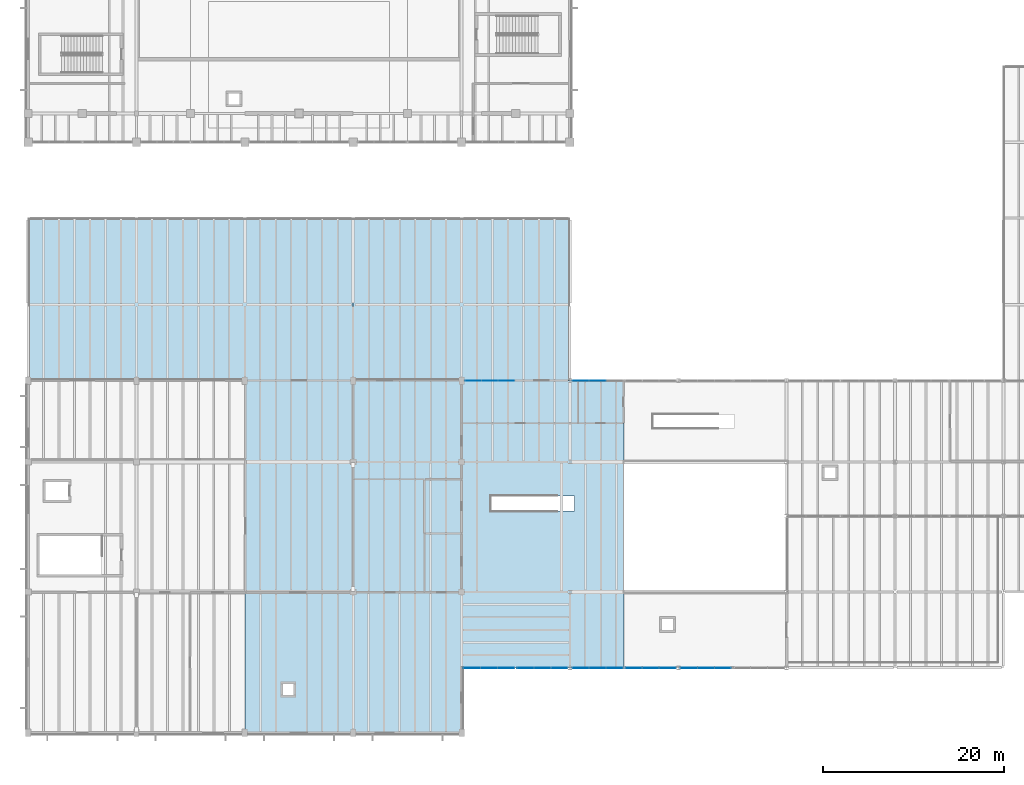
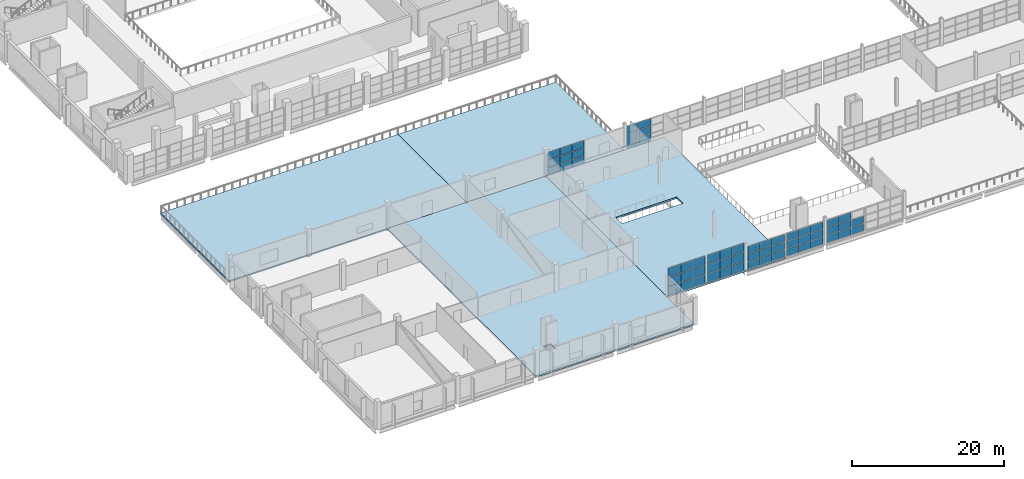
# One storey, part 47 of 78: 59 plates, 4 slabs, 7 elements without a shape of their own.
"""IFC4 building model written with IfcOpenShell, lengths in metres."""

from ifc_helpers import new_model, si_unit, direction, frame, origin, origin_2d, place, context, subcontext, project, spatial, polyline, rectangle, outline, extrude, material, layer, layer_set, type_object, element, aggregate, save


model = new_model("IFC4")

# Units and contexts
model_context = context("Model", 3, precision=1e-05, world=origin(), true_north=direction((0.0, 1.0)))
body_context = subcontext(model_context, "Body", "Model", "MODEL_VIEW")
ifc_project = project(units=[si_unit("LENGTHUNIT", "METRE"), si_unit("AREAUNIT", "SQUARE_METRE"), si_unit("VOLUMEUNIT", "CUBIC_METRE"), si_unit("PLANEANGLEUNIT", "RADIAN"), si_unit("MASSUNIT", "GRAM", prefix="KILO")], contexts=[model_context])

# Site, building, storey
site_placement = place(None, origin())
site = spatial("IfcSite", under=ifc_project, at=site_placement, CompositionType="ELEMENT")
building_placement = place(site_placement, origin())
building = spatial("IfcBuilding", under=site, at=building_placement, Name="Kelmvaro Bay Concert Hall", CompositionType="ELEMENT")
storey_placement = place(building_placement, frame((0.0, 0.0, 9.300048828125)))
storey = spatial("IfcBuildingStorey", under=building, at=storey_placement, Name="L02", CompositionType="ELEMENT", Elevation=9.300048828125)

# Curtain wall, plates
ifc_material_1 = material(Name="Anodised Aluminium and Low-E Insulated Glazing", Category="aluminium")
curtain_wall_type = type_object("IfcCurtainWallType", Name="Upper Salon Waterfront Curtain Wall 4050", PredefinedType="USERDEFINED", material=ifc_material_1)
curtain_wall_1_placement = place(storey_placement, origin())
curtain_wall_1 = element("IfcCurtainWall", 1, at=curtain_wall_1_placement, inside=storey, type_object=curtain_wall_type, Name="Unitised Curtain Wall CW-L02-088", ObjectType="UNITISED GLAZING", PredefinedType="USERDEFINED")
ifc_material_2 = material(Name="Laminated Low-E Insulated Glass", Category="glass")
ifc_layer_1 = layer(ifc_material_2, 1.85009765625)
ifc_layer_set_1 = layer_set([ifc_layer_1], Name="Laminated Low-E Insulated Glass")
plate_type_1 = type_object("IfcPlateType", Name="Courtyard Clear Low-E Glazing Panel 22", PredefinedType="CURTAIN_PANEL", material=ifc_layer_set_1)
plate_1_placement = place(storey_placement, frame((49.2724609375, 39.0, 0.032470703125), z_axis=(0.0, 0.0, 1.0), x_axis=(1.0, 0.0, 0.0)))
plate_1 = element("IfcPlate", 2, at=plate_1_placement, type_object=plate_type_1, Name="CW-L02-088 Insulated Glazing Panel 01-1", PredefinedType="CURTAIN_PANEL", context=body_context, shape_type="SweptSolid", body=[
    extrude(rectangle(XDim=1.77001953125, YDim=0.02197265625, at=origin_2d()), origin(), (0.0, 0.0, 1.0), 1.1826171875),
])
plate_2_placement = place(storey_placement, frame((49.2724609375, 39.0, 1.280029296875), z_axis=(0.0, 0.0, 1.0), x_axis=(1.0, 0.0, 0.0)))
plate_2 = element("IfcPlate", 3, at=plate_2_placement, type_object=plate_type_1, Name="CW-L02-088 Insulated Glazing Panel 01-2", PredefinedType="CURTAIN_PANEL", context=body_context, shape_type="SweptSolid", body=[
    extrude(rectangle(XDim=1.77001953125, YDim=0.02197265625, at=origin_2d()), origin(), (0.0, 0.0, 1.0), 1.1826171875),
])
plate_3_placement = place(storey_placement, frame((49.2724609375, 39.0, 2.52783203125), z_axis=(0.0, 0.0, 1.0), x_axis=(1.0, 0.0, 0.0)))
plate_3 = element("IfcPlate", 4, at=plate_3_placement, type_object=plate_type_1, Name="CW-L02-088 Insulated Glazing Panel 01-3", PredefinedType="CURTAIN_PANEL", context=body_context, shape_type="SweptSolid", body=[
    extrude(rectangle(XDim=1.77001953125, YDim=0.02197265625, at=origin_2d()), origin(), (0.0, 0.0, 1.0), 1.1826171875),
])
plate_4_placement = place(storey_placement, frame((51.107421875, 39.0, 0.032470703125), z_axis=(0.0, 0.0, 1.0), x_axis=(1.0, 0.0, 0.0)))
plate_4 = element("IfcPlate", 5, at=plate_4_placement, type_object=plate_type_1, Name="CW-L02-088 Insulated Glazing Panel 02-1", PredefinedType="CURTAIN_PANEL", context=body_context, shape_type="SweptSolid", body=[
    extrude(rectangle(XDim=1.77001953125, YDim=0.02197265625, at=origin_2d()), origin(), (0.0, 0.0, 1.0), 1.1826171875),
])
plate_5_placement = place(storey_placement, frame((51.107421875, 39.0, 1.280029296875), z_axis=(0.0, 0.0, 1.0), x_axis=(1.0, 0.0, 0.0)))
plate_5 = element("IfcPlate", 6, at=plate_5_placement, type_object=plate_type_1, Name="CW-L02-088 Insulated Glazing Panel 02-2", PredefinedType="CURTAIN_PANEL", context=body_context, shape_type="SweptSolid", body=[
    extrude(rectangle(XDim=1.77001953125, YDim=0.02197265625, at=origin_2d()), origin(), (0.0, 0.0, 1.0), 1.1826171875),
])
plate_6_placement = place(storey_placement, frame((51.107421875, 39.0, 2.52783203125), z_axis=(0.0, 0.0, 1.0), x_axis=(1.0, 0.0, 0.0)))
plate_6 = element("IfcPlate", 7, at=plate_6_placement, type_object=plate_type_1, Name="CW-L02-088 Insulated Glazing Panel 02-3", PredefinedType="CURTAIN_PANEL", context=body_context, shape_type="SweptSolid", body=[
    extrude(rectangle(XDim=1.77001953125, YDim=0.02197265625, at=origin_2d()), origin(), (0.0, 0.0, 1.0), 1.1826171875),
])
plate_7_placement = place(storey_placement, frame((52.9423828125, 39.0, 0.032470703125), z_axis=(0.0, 0.0, 1.0), x_axis=(1.0, 0.0, 0.0)))
plate_7 = element("IfcPlate", 8, at=plate_7_placement, type_object=plate_type_1, Name="CW-L02-088 Insulated Glazing Panel 03-1", PredefinedType="CURTAIN_PANEL", context=body_context, shape_type="SweptSolid", body=[
    extrude(rectangle(XDim=1.77001953125, YDim=0.02197265625, at=origin_2d()), origin(), (0.0, 0.0, 1.0), 1.1826171875),
])
plate_8_placement = place(storey_placement, frame((52.9423828125, 39.0, 1.280029296875), z_axis=(0.0, 0.0, 1.0), x_axis=(1.0, 0.0, 0.0)))
plate_8 = element("IfcPlate", 9, at=plate_8_placement, type_object=plate_type_1, Name="CW-L02-088 Insulated Glazing Panel 03-2", PredefinedType="CURTAIN_PANEL", context=body_context, shape_type="SweptSolid", body=[
    extrude(rectangle(XDim=1.77001953125, YDim=0.02197265625, at=origin_2d()), origin(), (0.0, 0.0, 1.0), 1.1826171875),
])
plate_9_placement = place(storey_placement, frame((52.9423828125, 39.0, 2.52783203125), z_axis=(0.0, 0.0, 1.0), x_axis=(1.0, 0.0, 0.0)))
plate_9 = element("IfcPlate", 10, at=plate_9_placement, type_object=plate_type_1, Name="CW-L02-088 Insulated Glazing Panel 03-3", PredefinedType="CURTAIN_PANEL", context=body_context, shape_type="SweptSolid", body=[
    extrude(rectangle(XDim=1.77001953125, YDim=0.02197265625, at=origin_2d()), origin(), (0.0, 0.0, 1.0), 1.1826171875),
])
aggregate(curtain_wall_1, [plate_1, plate_2, plate_3, plate_4, plate_5, plate_6, plate_7, plate_8, plate_9])

curtain_wall_2_placement = place(storey_placement, origin())
curtain_wall_2 = element("IfcCurtainWall", 11, at=curtain_wall_2_placement, inside=storey, type_object=curtain_wall_type, Name="Unitised Curtain Wall CW-L02-089", ObjectType="UNITISED GLAZING", PredefinedType="USERDEFINED")
plate_10_placement = place(storey_placement, frame((61.188720703125, 39.0, 0.0322265625), z_axis=(0.0, 0.0, 1.0), x_axis=(1.0, 0.0, 0.0)))
plate_10 = element("IfcPlate", 12, at=plate_10_placement, type_object=plate_type_1, Name="CW-L02-089 Insulated Glazing Panel 01-1", PredefinedType="CURTAIN_PANEL", context=body_context, shape_type="SweptSolid", body=[
    extrude(rectangle(XDim=1.803466796875, YDim=0.02197265625, at=origin_2d()), origin(), (0.0, 0.0, 1.0), 1.181396484375),
])
plate_11_placement = place(storey_placement, frame((61.188720703125, 39.0, 1.27880859375), z_axis=(0.0, 0.0, 1.0), x_axis=(1.0, 0.0, 0.0)))
plate_11 = element("IfcPlate", 13, at=plate_11_placement, type_object=plate_type_1, Name="CW-L02-089 Insulated Glazing Panel 01-2", PredefinedType="CURTAIN_PANEL", context=body_context, shape_type="SweptSolid", body=[
    extrude(rectangle(XDim=1.803466796875, YDim=0.02197265625, at=origin_2d()), origin(), (0.0, 0.0, 1.0), 1.181396484375),
])
plate_12_placement = place(storey_placement, frame((61.188720703125, 39.0, 2.52490234375), z_axis=(0.0, 0.0, 1.0), x_axis=(1.0, 0.0, 0.0)))
plate_12 = element("IfcPlate", 14, at=plate_12_placement, type_object=plate_type_1, Name="CW-L02-089 Insulated Glazing Panel 01-3", PredefinedType="CURTAIN_PANEL", context=body_context, shape_type="SweptSolid", body=[
    extrude(rectangle(XDim=1.803466796875, YDim=0.02197265625, at=origin_2d()), origin(), (0.0, 0.0, 1.0), 1.181396484375),
])
plate_13_placement = place(storey_placement, frame((63.05712890625, 39.0, 0.0322265625), z_axis=(0.0, 0.0, 1.0), x_axis=(1.0, 0.0, 0.0)))
plate_13 = element("IfcPlate", 15, at=plate_13_placement, type_object=plate_type_1, Name="CW-L02-089 Insulated Glazing Panel 02-1", PredefinedType="CURTAIN_PANEL", context=body_context, shape_type="SweptSolid", body=[
    extrude(rectangle(XDim=1.803466796875, YDim=0.02197265625, at=origin_2d()), origin(), (0.0, 0.0, 1.0), 1.181396484375),
])
plate_14_placement = place(storey_placement, frame((63.05712890625, 39.0, 1.27880859375), z_axis=(0.0, 0.0, 1.0), x_axis=(1.0, 0.0, 0.0)))
plate_14 = element("IfcPlate", 16, at=plate_14_placement, type_object=plate_type_1, Name="CW-L02-089 Insulated Glazing Panel 02-2", PredefinedType="CURTAIN_PANEL", context=body_context, shape_type="SweptSolid", body=[
    extrude(rectangle(XDim=1.803466796875, YDim=0.02197265625, at=origin_2d()), origin(), (0.0, 0.0, 1.0), 1.181396484375),
])
plate_15_placement = place(storey_placement, frame((63.05712890625, 39.0, 2.52490234375), z_axis=(0.0, 0.0, 1.0), x_axis=(1.0, 0.0, 0.0)))
plate_15 = element("IfcPlate", 17, at=plate_15_placement, type_object=plate_type_1, Name="CW-L02-089 Insulated Glazing Panel 02-3", PredefinedType="CURTAIN_PANEL", context=body_context, shape_type="SweptSolid", body=[
    extrude(rectangle(XDim=1.803466796875, YDim=0.02197265625, at=origin_2d()), origin(), (0.0, 0.0, 1.0), 1.181396484375),
])
aggregate(curtain_wall_2, [plate_10, plate_11, plate_12, plate_13, plate_14, plate_15])

curtain_wall_3_placement = place(storey_placement, origin())
curtain_wall_3 = element("IfcCurtainWall", 18, at=curtain_wall_3_placement, inside=storey, type_object=curtain_wall_type, Name="Unitised Curtain Wall CW-L02-076", ObjectType="UNITISED GLAZING", PredefinedType="USERDEFINED")
ifc_material_3 = material(Name="Laminated Low-E Insulated Glass", Category="glass")
ifc_layer_2 = layer(ifc_material_3, 1.85009765625)
ifc_layer_set_2 = layer_set([ifc_layer_2], Name="Laminated Low-E Insulated Glass")
plate_type_2 = type_object("IfcPlateType", Name="High-Impact Waterfront Glazing Panel 50", PredefinedType="CURTAIN_PANEL", material=ifc_layer_set_2)
plate_16_placement = place(storey_placement, frame((52.918212890625, 7.199951171875, 0.032470703125), z_axis=(0.0, 0.0, 1.0), x_axis=(-1.0, 0.0, 0.0)))
plate_16 = element("IfcPlate", 19, at=plate_16_placement, type_object=plate_type_2, Name="CW-L02-076 Insulated Glazing Panel 01-1", PredefinedType="CURTAIN_PANEL", context=body_context, shape_type="SweptSolid", body=[
    extrude(rectangle(XDim=1.818359375, YDim=0.050048828125, at=origin_2d()), origin(), (0.0, 0.0, 1.0), 1.43505859375),
])
plate_17_placement = place(storey_placement, frame((52.918212890625, 7.199951171875, 1.532470703125), z_axis=(0.0, 0.0, 1.0), x_axis=(-1.0, 0.0, 0.0)))
plate_17 = element("IfcPlate", 20, at=plate_17_placement, type_object=plate_type_2, Name="CW-L02-076 Insulated Glazing Panel 01-2", PredefinedType="CURTAIN_PANEL", context=body_context, shape_type="SweptSolid", body=[
    extrude(rectangle(XDim=1.818359375, YDim=0.050048828125, at=origin_2d()), origin(), (0.0, 0.0, 1.0), 1.43505859375),
])
plate_18_placement = place(storey_placement, frame((52.918212890625, 7.199951171875, 3.032470703125), z_axis=(0.0, 0.0, 1.0), x_axis=(-1.0, 0.0, 0.0)))
plate_18 = element("IfcPlate", 21, at=plate_18_placement, type_object=plate_type_2, Name="CW-L02-076 Insulated Glazing Panel 01-3", PredefinedType="CURTAIN_PANEL", context=body_context, shape_type="SweptSolid", body=[
    extrude(rectangle(XDim=1.818359375, YDim=0.050048828125, at=origin_2d()), origin(), (0.0, 0.0, 1.0), 1.43505859375),
])
plate_19_placement = place(storey_placement, frame((51.034912109375, 7.199951171875, 0.032470703125), z_axis=(0.0, 0.0, 1.0), x_axis=(-1.0, 0.0, 0.0)))
plate_19 = element("IfcPlate", 22, at=plate_19_placement, type_object=plate_type_2, Name="CW-L02-076 Insulated Glazing Panel 02-1", PredefinedType="CURTAIN_PANEL", context=body_context, shape_type="SweptSolid", body=[
    extrude(rectangle(XDim=1.818359375, YDim=0.050048828125, at=origin_2d()), origin(), (0.0, 0.0, 1.0), 1.43505859375),
])
plate_20_placement = place(storey_placement, frame((51.034912109375, 7.199951171875, 1.532470703125), z_axis=(0.0, 0.0, 1.0), x_axis=(-1.0, 0.0, 0.0)))
plate_20 = element("IfcPlate", 23, at=plate_20_placement, type_object=plate_type_2, Name="CW-L02-076 Insulated Glazing Panel 02-2", PredefinedType="CURTAIN_PANEL", context=body_context, shape_type="SweptSolid", body=[
    extrude(rectangle(XDim=1.818359375, YDim=0.050048828125, at=origin_2d()), origin(), (0.0, 0.0, 1.0), 1.43505859375),
])
plate_21_placement = place(storey_placement, frame((51.034912109375, 7.199951171875, 3.032470703125), z_axis=(0.0, 0.0, 1.0), x_axis=(-1.0, 0.0, 0.0)))
plate_21 = element("IfcPlate", 24, at=plate_21_placement, type_object=plate_type_2, Name="CW-L02-076 Insulated Glazing Panel 02-3", PredefinedType="CURTAIN_PANEL", context=body_context, shape_type="SweptSolid", body=[
    extrude(rectangle(XDim=1.818359375, YDim=0.050048828125, at=origin_2d()), origin(), (0.0, 0.0, 1.0), 1.43505859375),
])
plate_22_placement = place(storey_placement, frame((49.151611328125, 7.199951171875, 0.032470703125), z_axis=(0.0, 0.0, 1.0), x_axis=(-1.0, 0.0, 0.0)))
plate_22 = element("IfcPlate", 25, at=plate_22_placement, type_object=plate_type_2, Name="CW-L02-076 Insulated Glazing Panel 03-1", PredefinedType="CURTAIN_PANEL", context=body_context, shape_type="SweptSolid", body=[
    extrude(rectangle(XDim=1.818359375, YDim=0.050048828125, at=origin_2d()), origin(), (0.0, 0.0, 1.0), 1.43505859375),
])
plate_23_placement = place(storey_placement, frame((49.151611328125, 7.199951171875, 1.532470703125), z_axis=(0.0, 0.0, 1.0), x_axis=(-1.0, 0.0, 0.0)))
plate_23 = element("IfcPlate", 26, at=plate_23_placement, type_object=plate_type_2, Name="CW-L02-076 Insulated Glazing Panel 03-2", PredefinedType="CURTAIN_PANEL", context=body_context, shape_type="SweptSolid", body=[
    extrude(rectangle(XDim=1.818359375, YDim=0.050048828125, at=origin_2d()), origin(), (0.0, 0.0, 1.0), 1.43505859375),
])
plate_24_placement = place(storey_placement, frame((49.151611328125, 7.199951171875, 3.032470703125), z_axis=(0.0, 0.0, 1.0), x_axis=(-1.0, 0.0, 0.0)))
plate_24 = element("IfcPlate", 27, at=plate_24_placement, type_object=plate_type_2, Name="CW-L02-076 Insulated Glazing Panel 03-3", PredefinedType="CURTAIN_PANEL", context=body_context, shape_type="SweptSolid", body=[
    extrude(rectangle(XDim=1.818359375, YDim=0.050048828125, at=origin_2d()), origin(), (0.0, 0.0, 1.0), 1.43505859375),
])
aggregate(curtain_wall_3, [plate_16, plate_17, plate_18, plate_19, plate_20, plate_21, plate_22, plate_23, plate_24])

curtain_wall_4_placement = place(storey_placement, origin())
curtain_wall_4 = element("IfcCurtainWall", 28, at=curtain_wall_4_placement, inside=storey, type_object=curtain_wall_type, Name="Unitised Curtain Wall CW-L02-077", ObjectType="UNITISED GLAZING", PredefinedType="USERDEFINED")
plate_25_placement = place(storey_placement, frame((58.811279296875, 7.199951171875, 0.032470703125), z_axis=(0.0, 0.0, 1.0), x_axis=(-1.0, 0.0, 0.0)))
plate_25 = element("IfcPlate", 29, at=plate_25_placement, type_object=plate_type_2, Name="CW-L02-077 Insulated Glazing Panel 01-1", PredefinedType="CURTAIN_PANEL", context=body_context, shape_type="SweptSolid", body=[
    extrude(rectangle(XDim=1.803466796875, YDim=0.050048828125, at=origin_2d()), origin(), (0.0, 0.0, 1.0), 1.43505859375),
])
plate_26_placement = place(storey_placement, frame((58.811279296875, 7.199951171875, 1.532470703125), z_axis=(0.0, 0.0, 1.0), x_axis=(-1.0, 0.0, 0.0)))
plate_26 = element("IfcPlate", 30, at=plate_26_placement, type_object=plate_type_2, Name="CW-L02-077 Insulated Glazing Panel 01-2", PredefinedType="CURTAIN_PANEL", context=body_context, shape_type="SweptSolid", body=[
    extrude(rectangle(XDim=1.803466796875, YDim=0.050048828125, at=origin_2d()), origin(), (0.0, 0.0, 1.0), 1.43505859375),
])
plate_27_placement = place(storey_placement, frame((58.811279296875, 7.199951171875, 3.032470703125), z_axis=(0.0, 0.0, 1.0), x_axis=(-1.0, 0.0, 0.0)))
plate_27 = element("IfcPlate", 31, at=plate_27_placement, type_object=plate_type_2, Name="CW-L02-077 Insulated Glazing Panel 01-3", PredefinedType="CURTAIN_PANEL", context=body_context, shape_type="SweptSolid", body=[
    extrude(rectangle(XDim=1.803466796875, YDim=0.050048828125, at=origin_2d()), origin(), (0.0, 0.0, 1.0), 1.43505859375),
])
plate_28_placement = place(storey_placement, frame((56.94287109375, 7.199951171875, 0.032470703125), z_axis=(0.0, 0.0, 1.0), x_axis=(-1.0, 0.0, 0.0)))
plate_28 = element("IfcPlate", 32, at=plate_28_placement, type_object=plate_type_2, Name="CW-L02-077 Insulated Glazing Panel 02-1", PredefinedType="CURTAIN_PANEL", context=body_context, shape_type="SweptSolid", body=[
    extrude(rectangle(XDim=1.803466796875, YDim=0.050048828125, at=origin_2d()), origin(), (0.0, 0.0, 1.0), 1.43505859375),
])
plate_29_placement = place(storey_placement, frame((56.94287109375, 7.199951171875, 1.532470703125), z_axis=(0.0, 0.0, 1.0), x_axis=(-1.0, 0.0, 0.0)))
plate_29 = element("IfcPlate", 33, at=plate_29_placement, type_object=plate_type_2, Name="CW-L02-077 Insulated Glazing Panel 02-2", PredefinedType="CURTAIN_PANEL", context=body_context, shape_type="SweptSolid", body=[
    extrude(rectangle(XDim=1.803466796875, YDim=0.050048828125, at=origin_2d()), origin(), (0.0, 0.0, 1.0), 1.43505859375),
])
plate_30_placement = place(storey_placement, frame((56.94287109375, 7.199951171875, 3.032470703125), z_axis=(0.0, 0.0, 1.0), x_axis=(-1.0, 0.0, 0.0)))
plate_30 = element("IfcPlate", 34, at=plate_30_placement, type_object=plate_type_2, Name="CW-L02-077 Insulated Glazing Panel 02-3", PredefinedType="CURTAIN_PANEL", context=body_context, shape_type="SweptSolid", body=[
    extrude(rectangle(XDim=1.803466796875, YDim=0.050048828125, at=origin_2d()), origin(), (0.0, 0.0, 1.0), 1.43505859375),
])
plate_31_placement = place(storey_placement, frame((55.07421875, 7.199951171875, 0.032470703125), z_axis=(0.0, 0.0, 1.0), x_axis=(-1.0, 0.0, 0.0)))
plate_31 = element("IfcPlate", 35, at=plate_31_placement, type_object=plate_type_2, Name="CW-L02-077 Insulated Glazing Panel 03-1", PredefinedType="CURTAIN_PANEL", context=body_context, shape_type="SweptSolid", body=[
    extrude(rectangle(XDim=1.803466796875, YDim=0.050048828125, at=origin_2d()), origin(), (0.0, 0.0, 1.0), 1.43505859375),
])
plate_32_placement = place(storey_placement, frame((55.07421875, 7.199951171875, 1.532470703125), z_axis=(0.0, 0.0, 1.0), x_axis=(-1.0, 0.0, 0.0)))
plate_32 = element("IfcPlate", 36, at=plate_32_placement, type_object=plate_type_2, Name="CW-L02-077 Insulated Glazing Panel 03-2", PredefinedType="CURTAIN_PANEL", context=body_context, shape_type="SweptSolid", body=[
    extrude(rectangle(XDim=1.803466796875, YDim=0.050048828125, at=origin_2d()), origin(), (0.0, 0.0, 1.0), 1.43505859375),
])
plate_33_placement = place(storey_placement, frame((55.07421875, 7.199951171875, 3.032470703125), z_axis=(0.0, 0.0, 1.0), x_axis=(-1.0, 0.0, 0.0)))
plate_33 = element("IfcPlate", 37, at=plate_33_placement, type_object=plate_type_2, Name="CW-L02-077 Insulated Glazing Panel 03-3", PredefinedType="CURTAIN_PANEL", context=body_context, shape_type="SweptSolid", body=[
    extrude(rectangle(XDim=1.803466796875, YDim=0.050048828125, at=origin_2d()), origin(), (0.0, 0.0, 1.0), 1.43505859375),
])
aggregate(curtain_wall_4, [plate_25, plate_26, plate_27, plate_28, plate_29, plate_30, plate_31, plate_32, plate_33])

curtain_wall_5_placement = place(storey_placement, origin())
curtain_wall_5 = element("IfcCurtainWall", 38, at=curtain_wall_5_placement, inside=storey, type_object=curtain_wall_type, Name="Unitised Curtain Wall CW-L02-078", ObjectType="UNITISED GLAZING", PredefinedType="USERDEFINED")
plate_34_placement = place(storey_placement, frame((64.92578125, 7.199951171875, 0.0322265625), z_axis=(0.0, 0.0, 1.0), x_axis=(-1.0, 0.0, 0.0)))
plate_34 = element("IfcPlate", 39, at=plate_34_placement, type_object=plate_type_2, Name="CW-L02-078 Insulated Glazing Panel 01-1", PredefinedType="CURTAIN_PANEL", context=body_context, shape_type="SweptSolid", body=[
    extrude(rectangle(XDim=1.803466796875, YDim=0.050048828125, at=origin_2d()), origin(), (0.0, 0.0, 1.0), 1.181396484375),
])
plate_35_placement = place(storey_placement, frame((64.92578125, 7.199951171875, 1.27880859375), z_axis=(0.0, 0.0, 1.0), x_axis=(-1.0, 0.0, 0.0)))
plate_35 = element("IfcPlate", 40, at=plate_35_placement, type_object=plate_type_2, Name="CW-L02-078 Insulated Glazing Panel 01-2", PredefinedType="CURTAIN_PANEL", context=body_context, shape_type="SweptSolid", body=[
    extrude(rectangle(XDim=1.803466796875, YDim=0.050048828125, at=origin_2d()), origin(), (0.0, 0.0, 1.0), 1.181396484375),
])
plate_36_placement = place(storey_placement, frame((64.92578125, 7.199951171875, 2.52490234375), z_axis=(0.0, 0.0, 1.0), x_axis=(-1.0, 0.0, 0.0)))
plate_36 = element("IfcPlate", 41, at=plate_36_placement, type_object=plate_type_2, Name="CW-L02-078 Insulated Glazing Panel 01-3", PredefinedType="CURTAIN_PANEL", context=body_context, shape_type="SweptSolid", body=[
    extrude(rectangle(XDim=1.803466796875, YDim=0.050048828125, at=origin_2d()), origin(), (0.0, 0.0, 1.0), 1.181396484375),
])
plate_37_placement = place(storey_placement, frame((63.05712890625, 7.199951171875, 0.0322265625), z_axis=(0.0, 0.0, 1.0), x_axis=(-1.0, 0.0, 0.0)))
plate_37 = element("IfcPlate", 42, at=plate_37_placement, type_object=plate_type_2, Name="CW-L02-078 Insulated Glazing Panel 02-1", PredefinedType="CURTAIN_PANEL", context=body_context, shape_type="SweptSolid", body=[
    extrude(rectangle(XDim=1.803466796875, YDim=0.050048828125, at=origin_2d()), origin(), (0.0, 0.0, 1.0), 1.181396484375),
])
plate_38_placement = place(storey_placement, frame((63.05712890625, 7.199951171875, 1.27880859375), z_axis=(0.0, 0.0, 1.0), x_axis=(-1.0, 0.0, 0.0)))
plate_38 = element("IfcPlate", 43, at=plate_38_placement, type_object=plate_type_2, Name="CW-L02-078 Insulated Glazing Panel 02-2", PredefinedType="CURTAIN_PANEL", context=body_context, shape_type="SweptSolid", body=[
    extrude(rectangle(XDim=1.803466796875, YDim=0.050048828125, at=origin_2d()), origin(), (0.0, 0.0, 1.0), 1.181396484375),
])
plate_39_placement = place(storey_placement, frame((63.05712890625, 7.199951171875, 2.52490234375), z_axis=(0.0, 0.0, 1.0), x_axis=(-1.0, 0.0, 0.0)))
plate_39 = element("IfcPlate", 44, at=plate_39_placement, type_object=plate_type_2, Name="CW-L02-078 Insulated Glazing Panel 02-3", PredefinedType="CURTAIN_PANEL", context=body_context, shape_type="SweptSolid", body=[
    extrude(rectangle(XDim=1.803466796875, YDim=0.050048828125, at=origin_2d()), origin(), (0.0, 0.0, 1.0), 1.181396484375),
])
plate_40_placement = place(storey_placement, frame((61.188720703125, 7.199951171875, 0.0322265625), z_axis=(0.0, 0.0, 1.0), x_axis=(-1.0, 0.0, 0.0)))
plate_40 = element("IfcPlate", 45, at=plate_40_placement, type_object=plate_type_2, Name="CW-L02-078 Insulated Glazing Panel 03-1", PredefinedType="CURTAIN_PANEL", context=body_context, shape_type="SweptSolid", body=[
    extrude(rectangle(XDim=1.803466796875, YDim=0.050048828125, at=origin_2d()), origin(), (0.0, 0.0, 1.0), 1.181396484375),
])
plate_41_placement = place(storey_placement, frame((61.188720703125, 7.199951171875, 1.27880859375), z_axis=(0.0, 0.0, 1.0), x_axis=(-1.0, 0.0, 0.0)))
plate_41 = element("IfcPlate", 46, at=plate_41_placement, type_object=plate_type_2, Name="CW-L02-078 Insulated Glazing Panel 03-2", PredefinedType="CURTAIN_PANEL", context=body_context, shape_type="SweptSolid", body=[
    extrude(rectangle(XDim=1.803466796875, YDim=0.050048828125, at=origin_2d()), origin(), (0.0, 0.0, 1.0), 1.181396484375),
])
plate_42_placement = place(storey_placement, frame((61.188720703125, 7.199951171875, 2.52490234375), z_axis=(0.0, 0.0, 1.0), x_axis=(-1.0, 0.0, 0.0)))
plate_42 = element("IfcPlate", 47, at=plate_42_placement, type_object=plate_type_2, Name="CW-L02-078 Insulated Glazing Panel 03-3", PredefinedType="CURTAIN_PANEL", context=body_context, shape_type="SweptSolid", body=[
    extrude(rectangle(XDim=1.803466796875, YDim=0.050048828125, at=origin_2d()), origin(), (0.0, 0.0, 1.0), 1.181396484375),
])
aggregate(curtain_wall_5, [plate_34, plate_35, plate_36, plate_37, plate_38, plate_39, plate_40, plate_41, plate_42])

curtain_wall_6_placement = place(storey_placement, origin())
curtain_wall_6 = element("IfcCurtainWall", 48, at=curtain_wall_6_placement, inside=storey, type_object=curtain_wall_type, Name="Unitised Curtain Wall CW-L02-079", ObjectType="UNITISED GLAZING", PredefinedType="USERDEFINED")
plate_43_placement = place(storey_placement, frame((70.811279296875, 7.199951171875, 0.0322265625), z_axis=(0.0, 0.0, 1.0), x_axis=(-1.0, 0.0, 0.0)))
plate_43 = element("IfcPlate", 49, at=plate_43_placement, type_object=plate_type_2, Name="CW-L02-079 Insulated Glazing Panel 01-1", PredefinedType="CURTAIN_PANEL", context=body_context, shape_type="SweptSolid", body=[
    extrude(rectangle(XDim=1.803466796875, YDim=0.050048828125, at=origin_2d()), origin(), (0.0, 0.0, 1.0), 1.181396484375),
])
plate_44_placement = place(storey_placement, frame((70.811279296875, 7.199951171875, 1.27880859375), z_axis=(0.0, 0.0, 1.0), x_axis=(-1.0, 0.0, 0.0)))
plate_44 = element("IfcPlate", 50, at=plate_44_placement, type_object=plate_type_2, Name="CW-L02-079 Insulated Glazing Panel 01-2", PredefinedType="CURTAIN_PANEL", context=body_context, shape_type="SweptSolid", body=[
    extrude(rectangle(XDim=1.803466796875, YDim=0.050048828125, at=origin_2d()), origin(), (0.0, 0.0, 1.0), 1.181396484375),
])
plate_45_placement = place(storey_placement, frame((70.811279296875, 7.199951171875, 2.52490234375), z_axis=(0.0, 0.0, 1.0), x_axis=(-1.0, 0.0, 0.0)))
plate_45 = element("IfcPlate", 51, at=plate_45_placement, type_object=plate_type_2, Name="CW-L02-079 Insulated Glazing Panel 01-3", PredefinedType="CURTAIN_PANEL", context=body_context, shape_type="SweptSolid", body=[
    extrude(rectangle(XDim=1.803466796875, YDim=0.050048828125, at=origin_2d()), origin(), (0.0, 0.0, 1.0), 1.181396484375),
])
plate_46_placement = place(storey_placement, frame((68.94287109375, 7.199951171875, 0.0322265625), z_axis=(0.0, 0.0, 1.0), x_axis=(-1.0, 0.0, 0.0)))
plate_46 = element("IfcPlate", 52, at=plate_46_placement, type_object=plate_type_2, Name="CW-L02-079 Insulated Glazing Panel 02-1", PredefinedType="CURTAIN_PANEL", context=body_context, shape_type="SweptSolid", body=[
    extrude(rectangle(XDim=1.803466796875, YDim=0.050048828125, at=origin_2d()), origin(), (0.0, 0.0, 1.0), 1.181396484375),
])
plate_47_placement = place(storey_placement, frame((68.94287109375, 7.199951171875, 1.27880859375), z_axis=(0.0, 0.0, 1.0), x_axis=(-1.0, 0.0, 0.0)))
plate_47 = element("IfcPlate", 53, at=plate_47_placement, type_object=plate_type_2, Name="CW-L02-079 Insulated Glazing Panel 02-2", PredefinedType="CURTAIN_PANEL", context=body_context, shape_type="SweptSolid", body=[
    extrude(rectangle(XDim=1.803466796875, YDim=0.050048828125, at=origin_2d()), origin(), (0.0, 0.0, 1.0), 1.181396484375),
])
plate_48_placement = place(storey_placement, frame((68.94287109375, 7.199951171875, 2.52490234375), z_axis=(0.0, 0.0, 1.0), x_axis=(-1.0, 0.0, 0.0)))
plate_48 = element("IfcPlate", 54, at=plate_48_placement, type_object=plate_type_2, Name="CW-L02-079 Insulated Glazing Panel 02-3", PredefinedType="CURTAIN_PANEL", context=body_context, shape_type="SweptSolid", body=[
    extrude(rectangle(XDim=1.803466796875, YDim=0.050048828125, at=origin_2d()), origin(), (0.0, 0.0, 1.0), 1.181396484375),
])
plate_49_placement = place(storey_placement, frame((67.07421875, 7.199951171875, 0.0322265625), z_axis=(0.0, 0.0, 1.0), x_axis=(-1.0, 0.0, 0.0)))
plate_49 = element("IfcPlate", 55, at=plate_49_placement, type_object=plate_type_2, Name="CW-L02-079 Insulated Glazing Panel 03-1", PredefinedType="CURTAIN_PANEL", context=body_context, shape_type="SweptSolid", body=[
    extrude(rectangle(XDim=1.803466796875, YDim=0.050048828125, at=origin_2d()), origin(), (0.0, 0.0, 1.0), 1.181396484375),
])
plate_50_placement = place(storey_placement, frame((67.07421875, 7.199951171875, 1.27880859375), z_axis=(0.0, 0.0, 1.0), x_axis=(-1.0, 0.0, 0.0)))
plate_50 = element("IfcPlate", 56, at=plate_50_placement, type_object=plate_type_2, Name="CW-L02-079 Insulated Glazing Panel 03-2", PredefinedType="CURTAIN_PANEL", context=body_context, shape_type="SweptSolid", body=[
    extrude(rectangle(XDim=1.803466796875, YDim=0.050048828125, at=origin_2d()), origin(), (0.0, 0.0, 1.0), 1.181396484375),
])
plate_51_placement = place(storey_placement, frame((67.07421875, 7.199951171875, 2.52490234375), z_axis=(0.0, 0.0, 1.0), x_axis=(-1.0, 0.0, 0.0)))
plate_51 = element("IfcPlate", 57, at=plate_51_placement, type_object=plate_type_2, Name="CW-L02-079 Insulated Glazing Panel 03-3", PredefinedType="CURTAIN_PANEL", context=body_context, shape_type="SweptSolid", body=[
    extrude(rectangle(XDim=1.803466796875, YDim=0.050048828125, at=origin_2d()), origin(), (0.0, 0.0, 1.0), 1.181396484375),
])
aggregate(curtain_wall_6, [plate_43, plate_44, plate_45, plate_46, plate_47, plate_48, plate_49, plate_50, plate_51])

curtain_wall_7_placement = place(storey_placement, origin())
curtain_wall_7 = element("IfcCurtainWall", 58, at=curtain_wall_7_placement, inside=storey, type_object=curtain_wall_type, Name="Unitised Curtain Wall CW-L02-080", ObjectType="UNITISED GLAZING", PredefinedType="USERDEFINED")
plate_52_placement = place(storey_placement, frame((76.92578125, 7.199951171875, 0.0322265625), z_axis=(0.0, 0.0, 1.0), x_axis=(-1.0, 0.0, 0.0)))
plate_52 = element("IfcPlate", 59, at=plate_52_placement, type_object=plate_type_2, Name="CW-L02-080 Insulated Glazing Panel 01-1", PredefinedType="CURTAIN_PANEL", context=body_context, shape_type="SweptSolid", body=[
    extrude(rectangle(XDim=1.803466796875, YDim=0.050048828125, at=origin_2d()), origin(), (0.0, 0.0, 1.0), 1.181396484375),
])
plate_53_placement = place(storey_placement, frame((76.92578125, 7.199951171875, 1.27880859375), z_axis=(0.0, 0.0, 1.0), x_axis=(-1.0, 0.0, 0.0)))
plate_53 = element("IfcPlate", 60, at=plate_53_placement, type_object=plate_type_2, Name="CW-L02-080 Insulated Glazing Panel 01-2", PredefinedType="CURTAIN_PANEL", context=body_context, shape_type="SweptSolid", body=[
    extrude(rectangle(XDim=1.803466796875, YDim=0.050048828125, at=origin_2d()), origin(), (0.0, 0.0, 1.0), 1.181396484375),
])
plate_54_placement = place(storey_placement, frame((75.05712890625, 7.199951171875, 0.0322265625), z_axis=(0.0, 0.0, 1.0), x_axis=(-1.0, 0.0, 0.0)))
plate_54 = element("IfcPlate", 61, at=plate_54_placement, type_object=plate_type_2, Name="CW-L02-080 Insulated Glazing Panel 02-1", PredefinedType="CURTAIN_PANEL", context=body_context, shape_type="SweptSolid", body=[
    extrude(rectangle(XDim=1.803466796875, YDim=0.050048828125, at=origin_2d()), origin(), (0.0, 0.0, 1.0), 1.181396484375),
])
plate_55_placement = place(storey_placement, frame((75.05712890625, 7.199951171875, 1.27880859375), z_axis=(0.0, 0.0, 1.0), x_axis=(-1.0, 0.0, 0.0)))
plate_55 = element("IfcPlate", 62, at=plate_55_placement, type_object=plate_type_2, Name="CW-L02-080 Insulated Glazing Panel 02-2", PredefinedType="CURTAIN_PANEL", context=body_context, shape_type="SweptSolid", body=[
    extrude(rectangle(XDim=1.803466796875, YDim=0.050048828125, at=origin_2d()), origin(), (0.0, 0.0, 1.0), 1.181396484375),
])
plate_56_placement = place(storey_placement, frame((75.05712890625, 7.199951171875, 2.52490234375), z_axis=(0.0, 0.0, 1.0), x_axis=(-1.0, 0.0, 0.0)))
plate_56 = element("IfcPlate", 63, at=plate_56_placement, type_object=plate_type_2, Name="CW-L02-080 Insulated Glazing Panel 02-3", PredefinedType="CURTAIN_PANEL", context=body_context, shape_type="SweptSolid", body=[
    extrude(rectangle(XDim=1.803466796875, YDim=0.050048828125, at=origin_2d()), origin(), (0.0, 0.0, 1.0), 1.181396484375),
])
plate_57_placement = place(storey_placement, frame((73.188720703125, 7.199951171875, 0.0322265625), z_axis=(0.0, 0.0, 1.0), x_axis=(-1.0, 0.0, 0.0)))
plate_57 = element("IfcPlate", 64, at=plate_57_placement, type_object=plate_type_2, Name="CW-L02-080 Insulated Glazing Panel 03-1", PredefinedType="CURTAIN_PANEL", context=body_context, shape_type="SweptSolid", body=[
    extrude(rectangle(XDim=1.803466796875, YDim=0.050048828125, at=origin_2d()), origin(), (0.0, 0.0, 1.0), 1.181396484375),
])
plate_58_placement = place(storey_placement, frame((73.188720703125, 7.199951171875, 1.27880859375), z_axis=(0.0, 0.0, 1.0), x_axis=(-1.0, 0.0, 0.0)))
plate_58 = element("IfcPlate", 65, at=plate_58_placement, type_object=plate_type_2, Name="CW-L02-080 Insulated Glazing Panel 03-2", PredefinedType="CURTAIN_PANEL", context=body_context, shape_type="SweptSolid", body=[
    extrude(rectangle(XDim=1.803466796875, YDim=0.050048828125, at=origin_2d()), origin(), (0.0, 0.0, 1.0), 1.181396484375),
])
plate_59_placement = place(storey_placement, frame((73.188720703125, 7.199951171875, 2.52490234375), z_axis=(0.0, 0.0, 1.0), x_axis=(-1.0, 0.0, 0.0)))
plate_59 = element("IfcPlate", 66, at=plate_59_placement, type_object=plate_type_2, Name="CW-L02-080 Insulated Glazing Panel 03-3", PredefinedType="CURTAIN_PANEL", context=body_context, shape_type="SweptSolid", body=[
    extrude(rectangle(XDim=1.803466796875, YDim=0.050048828125, at=origin_2d()), origin(), (0.0, 0.0, 1.0), 1.181396484375),
])
aggregate(curtain_wall_7, [plate_52, plate_53, plate_54, plate_55, plate_56, plate_57, plate_58, plate_59])

# Slabs
ifc_material_4 = material(Name="Concrete C40/50", Category="concrete")
ifc_layer_3 = layer(ifc_material_4, 0.25)
ifc_layer_set_3 = layer_set([ifc_layer_3], Name="Concrete C40/50")
slab_type_1 = type_object("IfcSlabType", Name="Suspended Concourse Floor Slab 250", PredefinedType="FLOOR", material=ifc_layer_set_3)
slab_1_placement = place(storey_placement, frame((0.0, 0.0, -0.25)))
element("IfcSlab", 67, at=slab_1_placement, inside=storey, type_object=slab_type_1, Name="L02 Structural Slab V3-B", PredefinedType="FLOOR", context=body_context, shape_type="SweptSolid", body=[
    extrude(outline(polyline([(24.0, 0.0), (48.0, 0.0), (48.0, 39.0), (24.0, 39.0), (24.0, 0.0)]), holes=[polyline([(28.199951171875, 4.199951171875), (29.39990234375, 4.199951171875), (29.39990234375, 5.39990234375), (28.199951171875, 5.39990234375), (28.199951171875, 4.199951171875)])]), origin(), (0.0, 0.0, 1.0), 0.25),
])
slab_2_placement = place(storey_placement, frame((0.0, 0.0, -0.25)))
element("IfcSlab", 68, at=slab_2_placement, inside=storey, type_object=slab_type_1, Name="L02 Structural Slab V5-S1", PredefinedType="FLOOR", context=body_context, shape_type="SweptSolid", body=[
    extrude(outline(polyline([(48.0, 7.199951171875), (66.0, 7.199951171875), (66.0, 39.0), (48.0, 39.0), (48.0, 7.199951171875)]), holes=[polyline([(51.240478515625, 24.57568359375), (60.49951171875, 24.57568359375), (60.49951171875, 26.224365234375), (51.240478515625, 26.224365234375), (51.240478515625, 24.57568359375)])]), origin(), (0.0, 0.0, 1.0), 0.25),
])
ifc_material_5 = material(Name="Concrete C40/50", Category="concrete")
ifc_layer_4 = layer(ifc_material_5, 0.239990234375)
ifc_layer_set_4 = layer_set([ifc_layer_4], Name="Concrete C40/50")
slab_type_2 = type_object("IfcSlabType", Name="Waterfront Terrace Deck Slab 240", PredefinedType="FLOOR", material=ifc_layer_set_4)
slab_3_placement = place(storey_placement, frame((0.0, 0.0, -0.239990234375)))
element("IfcSlab", 69, at=slab_3_placement, inside=storey, type_object=slab_type_2, Name="L02 Terrace Slab TER-W1", PredefinedType="FLOOR", context=body_context, shape_type="SweptSolid", body=[
    extrude(outline(polyline([(0.0, 39.0), (36.0, 39.0), (36.0, 57.0), (0.0, 57.0), (0.0, 39.0)])), origin(), (0.0, 0.0, 1.0), 0.239990234375),
])
slab_4_placement = place(storey_placement, frame((0.0, 0.0, -0.239990234375)))
element("IfcSlab", 70, at=slab_4_placement, inside=storey, type_object=slab_type_2, Name="L02 Terrace Slab TER-W2", PredefinedType="FLOOR", context=body_context, shape_type="SweptSolid", body=[
    extrude(outline(polyline([(36.0, 39.0), (60.0, 39.0), (60.0, 57.0), (36.0, 57.0), (36.0, 39.0)])), origin(), (0.0, 0.0, 1.0), 0.239990234375),
])

save(model, "model.ifc")
